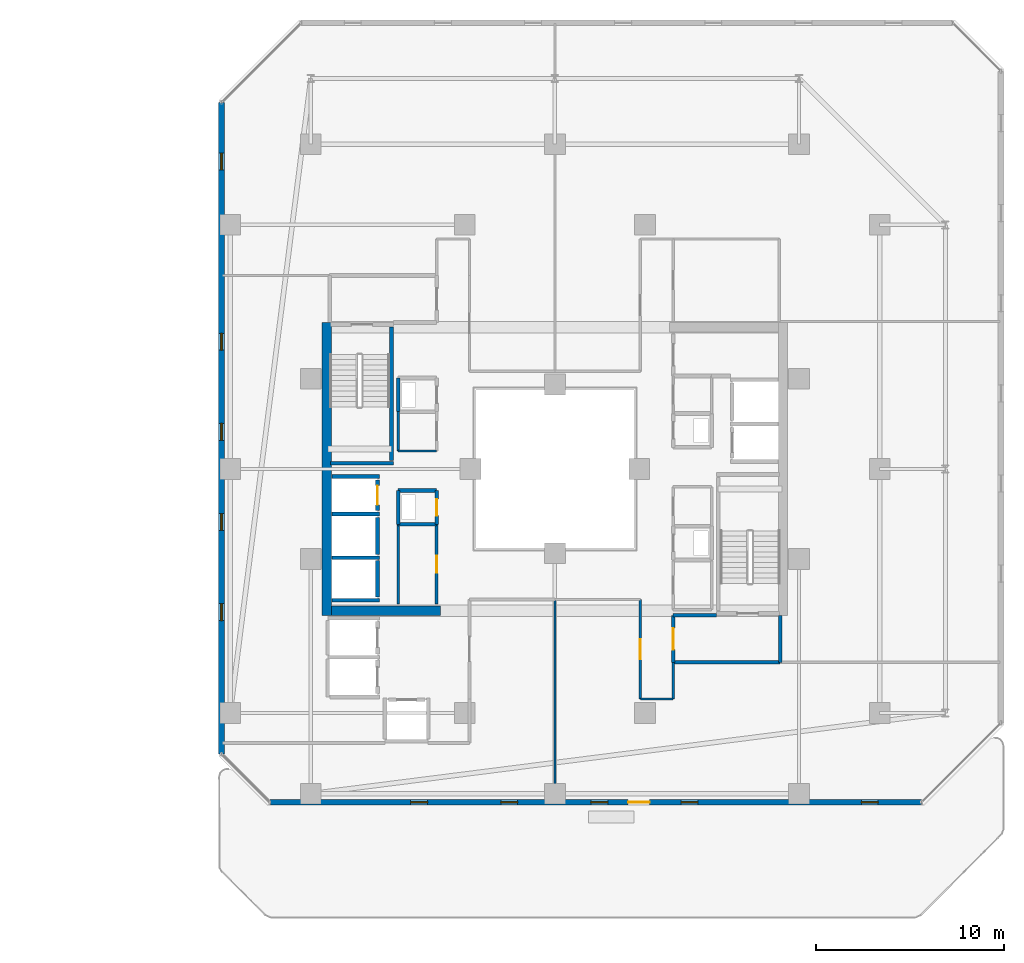
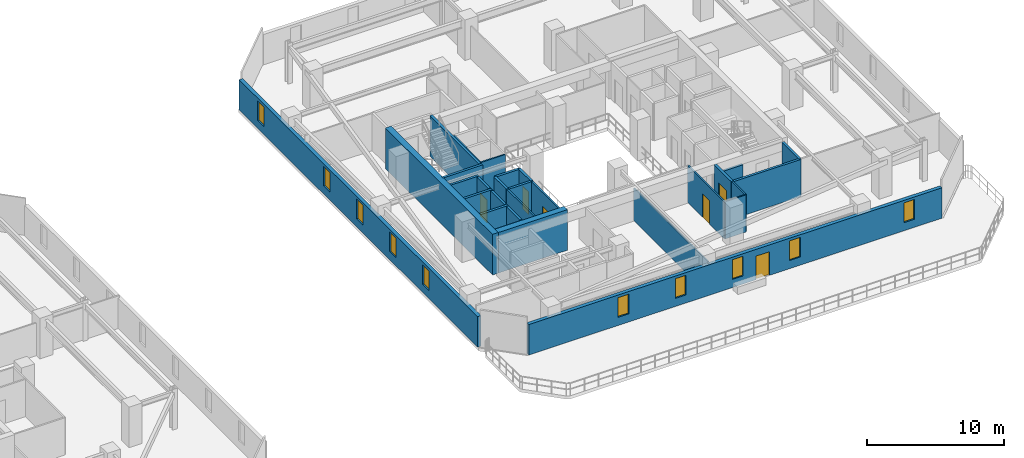
# One storey, part 22 of 30: 30 walls, 10 windows, 6 doors, 16 openings.
"""IFC4 building model written with IfcOpenShell, lengths in metres."""

from ifc_helpers import new_model, si_unit, direction, frame, frame_2d, origin, place, context, subcontext, project, spatial, rectangle, extrude, material, layer, layer_set, type_object, element, fill, save


model = new_model("IFC4")

# Units and contexts
model_context = context("Model", 3, precision=1e-05, world=origin(), true_north=direction((0.0, 1.0)))
body_context = subcontext(model_context, "Body", "Model", "MODEL_VIEW")
ifc_project = project(units=[si_unit("LENGTHUNIT", "METRE"), si_unit("AREAUNIT", "SQUARE_METRE"), si_unit("VOLUMEUNIT", "CUBIC_METRE"), si_unit("PLANEANGLEUNIT", "RADIAN"), si_unit("MASSUNIT", "GRAM", prefix="KILO")], contexts=[model_context])

# Site, building, storey
site_placement = place(None, origin())
site = spatial("IfcSite", under=ifc_project, at=site_placement, CompositionType="ELEMENT")
building_placement = place(site_placement, origin())
building = spatial("IfcBuilding", under=site, at=building_placement, Name="Thornwick Lancets Civic Towers", CompositionType="ELEMENT")
storey_placement = place(building_placement, frame((0.0, 0.0, 149.10009765625)))
storey = spatial("IfcBuildingStorey", under=building, at=storey_placement, Name="L39", CompositionType="ELEMENT", Elevation=149.10009765625)

# Wall, opening, door
ifc_material_1 = material(Name="Concrete blockwork C40/50", Category="masonry")
ifc_layer_1 = layer(ifc_material_1, 0.199951171875, Name="Concrete blockwork C40/50")
ifc_layer_set_1 = layer_set([ifc_layer_1], Name="Concrete blockwork C40/50")
wall_type_1 = type_object("IfcWallType", Name="WALL_COMP_200", PredefinedType="STANDARD", material=ifc_layer_set_1)
wall_1_placement = place(storey_placement, frame((79.050048828125, 24.780029296875, 0.0), z_axis=(0.0, 0.0, 1.0), x_axis=(0.0, 1.0, 0.0)))
wall_1 = element("IfcWall", 1, at=wall_1_placement, inside=storey, type_object=wall_type_1, Name="L39 Hoistway Front Wall FL-B2", PredefinedType="STANDARD", context=body_context, shape_type="SweptSolid", body=[
    extrude(rectangle(XDim=1.639892578125, YDim=0.199951171875, at=frame_2d((0.81982421875, 0.0))), origin(), (0.0, 0.0, 1.0), 3.2998046875),
])
opening_1_placement = place(wall_1_placement, frame((0.31005859375, 0.0, 0.0)))
opening_1 = element("IfcOpeningElement", 2, at=opening_1_placement, cuts=wall_1, Name="Opening LD-FL-B2", PredefinedType="OPENING", context=body_context, shape_type="SweptSolid", body=[
    extrude(rectangle(XDim=1.02001953125, YDim=2.06005859375, at=frame_2d((0.510009765625, 1.030029296875))), frame((0.0, 0.10986328125, 0.0), z_axis=(0.0, -1.0, 0.0), x_axis=(1.0, 0.0, 0.0)), (0.0, 0.0, 1.0), 0.219970703125),
])
ifc_material_2 = material(Name="Brushed bronze stainless steel", Category="steel")
door_type_1 = type_object("IfcDoorType", Name="DOOR_LIFT_SLIDE", OperationType="SLIDING_TO_LEFT", PredefinedType="DOOR", material=ifc_material_2)
door_1_placement = place(opening_1_placement, origin())
door_1 = element("IfcDoor", 3, at=door_1_placement, inside=storey, type_object=door_type_1, Name="L39 Sliding Lift Landing Door LD-FL-B2", OperationType="SLIDING_TO_LEFT", OverallHeight=2.06005859375, OverallWidth=1.02001953125, PredefinedType="DOOR", context=body_context, shape_type="SweptSolid", body=[
    extrude(rectangle(XDim=1.02001953125, YDim=2.06005859375, at=frame_2d((0.510009765625, 1.030029296875))), frame((0.0, 0.02490234375, 0.0), z_axis=(0.0, -1.0, 0.0), x_axis=(1.0, 0.0, 0.0)), (0.0, 0.0, 1.0), 0.050048828125),
])
fill(opening_1, door_1)

# Walls
wall_2_placement = place(storey_placement, frame((79.050048828125, 22.429931640625, 0.0), z_axis=(0.0, 0.0, 1.0), x_axis=(0.0, 1.0, 0.0)))
element("IfcWall", 4, at=wall_2_placement, inside=storey, type_object=wall_type_1, Name="L39 Hoistway Front Wall PL-BH2", PredefinedType="STANDARD", context=body_context, shape_type="SweptSolid", body=[
    extrude(rectangle(XDim=1.989990234375, YDim=0.199951171875, at=frame_2d((0.9951171875, 0.0))), origin(), (0.0, 0.0, 1.0), 3.2998046875),
])
wall_3_placement = place(storey_placement, frame((79.050048828125, 20.179931640625, 0.0), z_axis=(0.0, 0.0, 1.0), x_axis=(0.0, 1.0, 0.0)))
element("IfcWall", 5, at=wall_3_placement, inside=storey, type_object=wall_type_1, Name="L39 Hoistway Front Wall PL-BH3", PredefinedType="STANDARD", context=body_context, shape_type="SweptSolid", body=[
    extrude(rectangle(XDim=1.940185546875, YDim=0.199951171875, at=frame_2d((0.97021484375, 0.0))), origin(), (0.0, 0.0, 1.0), 3.2998046875),
])
for number, where, z_axis, x_axis, name in (
    (6, (76.612060546875, 26.60009765625, 0.0), (0.0, 0.0, 1.0), (1.0, 0.0, 0.0), "L39 Hoistway Shaft Wall FL-B2 N"),
    (7, (76.612060546875, 24.60009765625, 0.0), (0.0, 0.0, 1.0), (1.0, 0.0, 0.0), "L39 Hoistway Shaft Wall FL-B2 S"),
    (8, (76.612060546875, 22.27490234375, 0.0), (0.0, 0.0, 1.0), (1.0, 0.0, 0.0), "L39 Hoistway Shaft Wall PL-BH2 S"),
    (9, (76.612060546875, 20.0, 0.0), (0.0, 0.0, 1.0), (1.0, 0.0, 0.0), "L39 Hoistway Shaft Wall PL-BH3 S"),
):
    element("IfcWall", number, at=place(storey_placement, frame(where, z_axis=z_axis, x_axis=x_axis)), inside=storey, type_object=wall_type_1, Name=name, PredefinedType="STANDARD", context=body_context, shape_type="SweptSolid", body=[
        extrude(rectangle(XDim=2.535888671875, YDim=0.199951171875, at=frame_2d((1.26806640625, 0.0))), origin(), (0.0, 0.0, 1.0), 3.2998046875),
    ])
wall_4_placement = place(storey_placement, frame((94.800048828125, 16.699951171875, 0.0), z_axis=(0.0, 0.0, 1.0), x_axis=(1.0, 0.0, 0.0)))
element("IfcWall", 10, at=wall_4_placement, inside=storey, type_object=wall_type_1, Name="L39 Partition L39-B-FFLOB1 E1", PredefinedType="STANDARD", context=body_context, shape_type="SweptSolid", body=[
    extrude(rectangle(XDim=5.699951171875, YDim=0.199951171875, at=frame_2d((2.85009765625, 0.0))), origin(), (0.0, 0.0, 1.0), 3.2998046875),
])
wall_5_placement = place(storey_placement, frame((100.5, 16.699951171875, 0.0), z_axis=(0.0, 0.0, 1.0), x_axis=(0.0, 1.0, 0.0)))
element("IfcWall", 11, at=wall_5_placement, inside=storey, type_object=wall_type_1, Name="L39 Partition L39-B-FFLOB1 E2", PredefinedType="STANDARD", context=body_context, shape_type="SweptSolid", body=[
    extrude(rectangle(XDim=2.5, YDim=0.199951171875, at=frame_2d((1.25, 0.0))), origin(), (0.0, 0.0, 1.0), 3.2998046875),
])
wall_6_placement = place(storey_placement, frame((97.10009765625, 19.199951171875, 0.0), z_axis=(0.0, 0.0, 1.0), x_axis=(-1.0, 0.0, 0.0)))
element("IfcWall", 12, at=wall_6_placement, inside=storey, type_object=wall_type_1, Name="L39 Partition L39-B-FFLOB1 E3", PredefinedType="STANDARD", context=body_context, shape_type="SweptSolid", body=[
    extrude(rectangle(XDim=2.300048828125, YDim=0.199951171875, at=frame_2d((1.14990234375, 0.0))), origin(), (0.0, 0.0, 1.0), 2.5048828125),
])

# Wall, opening, door
wall_7_placement = place(storey_placement, frame((94.800048828125, 19.199951171875, 0.0), z_axis=(0.0, 0.0, 1.0), x_axis=(0.0, -1.0, 0.0)))
wall_7 = element("IfcWall", 13, at=wall_7_placement, inside=storey, type_object=wall_type_1, Name="L39 Partition L39-B-FFLOB1 E4", PredefinedType="STANDARD", context=body_context, shape_type="SweptSolid", body=[
    extrude(rectangle(XDim=2.5, YDim=0.199951171875, at=frame_2d((1.25, 0.0))), origin(), (0.0, 0.0, 1.0), 3.2998046875),
])
opening_2_placement = place(wall_7_placement, frame((0.675048828125, 0.0, 0.0)))
opening_2 = element("IfcOpeningElement", 14, at=opening_2_placement, cuts=wall_7, Name="Opening D-L39-1767", PredefinedType="OPENING", context=body_context, shape_type="SweptSolid", body=[
    extrude(rectangle(XDim=1.14990234375, YDim=2.10009765625, at=frame_2d((0.574951171875, 1.050048828125))), frame((0.0, 0.10986328125, 0.0), z_axis=(0.0, -1.0, 0.0), x_axis=(1.0, 0.0, 0.0)), (0.0, 0.0, 1.0), 0.219970703125),
])
ifc_material_3 = material(Name="Glazed fire-resisting steel", Category="steel")
door_type_2 = type_object("IfcDoorType", Name="DOOR_LOBBY_FD60", OperationType="NOTDEFINED", PredefinedType="DOOR", material=ifc_material_3)
door_2_placement = place(opening_2_placement, origin())
door_2 = element("IfcDoor", 15, at=door_2_placement, inside=storey, type_object=door_type_2, Name="L39 East Firefighting Lobby 1 Door", OperationType="SINGLE_SWING_RIGHT", OverallHeight=2.10009765625, OverallWidth=1.14990234375, PredefinedType="DOOR", context=body_context, shape_type="SweptSolid", body=[
    extrude(rectangle(XDim=1.14990234375, YDim=2.10009765625, at=frame_2d((0.574951171875, 1.050048828125))), frame((0.0, 0.02490234375, 0.0), z_axis=(0.0, -1.0, 0.0), x_axis=(1.0, 0.0, 0.0)), (0.0, 0.0, 1.0), 0.050048828125),
])
fill(opening_2, door_2)

# Wall
wall_8_placement = place(storey_placement, frame((80.14990234375, 24.050048828125, 0.0), z_axis=(0.0, 0.0, 1.0), x_axis=(1.0, 0.0, 0.0)))
element("IfcWall", 16, at=wall_8_placement, inside=storey, type_object=wall_type_1, Name="L39 Partition L39-B-DUCT2 E1", PredefinedType="STANDARD", context=body_context, shape_type="SweptSolid", body=[
    extrude(rectangle(XDim=2.050048828125, YDim=0.199951171875, at=frame_2d((1.02490234375, 0.0))), origin(), (0.0, 0.0, 1.0), 3.2998046875),
])

# Wall, opening, door
wall_9_placement = place(storey_placement, frame((82.199951171875, 24.050048828125, 0.0), z_axis=(0.0, 0.0, 1.0), x_axis=(0.0, 1.0, 0.0)))
wall_9 = element("IfcWall", 17, at=wall_9_placement, inside=storey, type_object=wall_type_1, Name="L39 Partition L39-B-DUCT2 E2", PredefinedType="STANDARD", context=body_context, shape_type="SweptSolid", body=[
    extrude(rectangle(XDim=1.800048828125, YDim=0.199951171875, at=frame_2d((0.89990234375, 0.0))), origin(), (0.0, 0.0, 1.0), 3.2998046875),
])
opening_3_placement = place(wall_9_placement, frame((0.4599609375, 0.0, 0.0)))
opening_3 = element("IfcOpeningElement", 18, at=opening_3_placement, cuts=wall_9, Name="Opening D-L39-1771", PredefinedType="OPENING", context=body_context, shape_type="SweptSolid", body=[
    extrude(rectangle(XDim=0.8798828125, YDim=2.0400390625, at=frame_2d((0.43994140625, 1.02001953125))), frame((0.0, 0.10986328125, 0.0), z_axis=(0.0, -1.0, 0.0), x_axis=(1.0, 0.0, 0.0)), (0.0, 0.0, 1.0), 0.219970703125),
])
ifc_material_4 = material(Name="Steel riser access doorset", Category="steel")
door_type_3 = type_object("IfcDoorType", Name="DOOR_RISER_850", OperationType="NOTDEFINED", PredefinedType="DOOR", material=ifc_material_4)
door_3_placement = place(opening_3_placement, origin())
door_3 = element("IfcDoor", 19, at=door_3_placement, inside=storey, type_object=door_type_3, Name="L39 West Service Duct 2 Door", OperationType="SINGLE_SWING_RIGHT", OverallHeight=2.0400390625, OverallWidth=0.8798828125, PredefinedType="DOOR", context=body_context, shape_type="SweptSolid", body=[
    extrude(rectangle(XDim=0.8798828125, YDim=2.0400390625, at=frame_2d((0.43994140625, 1.02001953125))), frame((0.0, 0.02490234375, 0.0), z_axis=(0.0, -1.0, 0.0), x_axis=(1.0, 0.0, 0.0)), (0.0, 0.0, 1.0), 0.050048828125),
])
fill(opening_3, door_3)

# Walls
wall_10_placement = place(storey_placement, frame((82.199951171875, 25.85009765625, 0.0), z_axis=(0.0, 0.0, 1.0), x_axis=(-1.0, 0.0, 0.0)))
element("IfcWall", 20, at=wall_10_placement, inside=storey, type_object=wall_type_1, Name="L39 Partition L39-B-DUCT2 E3", PredefinedType="STANDARD", context=body_context, shape_type="SweptSolid", body=[
    extrude(rectangle(XDim=2.050048828125, YDim=0.199951171875, at=frame_2d((1.02490234375, 0.0))), origin(), (0.0, 0.0, 1.0), 3.2998046875),
])
for number, where, z_axis, x_axis, name in (
    (21, (80.14990234375, 25.85009765625, 0.0), (0.0, 0.0, 1.0), (0.0, -1.0, 0.0), "L39 Partition L39-B-DUCT2 E4"),
    (22, (80.14990234375, 31.85009765625, 0.0), (0.0, 0.0, 1.0), (0.0, -1.0, 0.0), "L39 Partition L39-B-RISER2 E4"),
):
    element("IfcWall", number, at=place(storey_placement, frame(where, z_axis=z_axis, x_axis=x_axis)), inside=storey, type_object=wall_type_1, Name=name, PredefinedType="STANDARD", context=body_context, shape_type="SweptSolid", body=[
        extrude(rectangle(XDim=1.800048828125, YDim=0.199951171875, at=frame_2d((0.89990234375, 0.0))), origin(), (0.0, 0.0, 1.0), 3.2998046875),
    ])
ifc_material_5 = material(Name="Concrete C50/60", Category="concrete")
ifc_layer_2 = layer(ifc_material_5, 0.5, Name="Concrete C50/60")
ifc_layer_set_2 = layer_set([ifc_layer_2], Name="Concrete C50/60")
wall_type_2 = type_object("IfcWallType", Name="WALL_CORE_500", PredefinedType="SHEAR", material=ifc_layer_set_2)
wall_11_placement = place(storey_placement, frame((76.35009765625, 19.199951171875, 0.0), z_axis=(0.0, 0.0, 1.0), x_axis=(0.0, 1.0, 0.0)))
element("IfcWall", 23, at=wall_11_placement, inside=storey, type_object=wall_type_2, Name="L39 Split Core B2 Shear Wall W", PredefinedType="SHEAR", context=body_context, shape_type="SweptSolid", body=[
    extrude(rectangle(XDim=15.60009765625, YDim=0.5, at=frame_2d((7.800048828125, 0.0))), origin(), (0.0, 0.0, 1.0), 3.599853515625),
])
wall_12_placement = place(storey_placement, frame((76.60009765625, 19.449951171875, 0.0), z_axis=(0.0, 0.0, 1.0), x_axis=(1.0, 0.0, 0.0)))
element("IfcWall", 24, at=wall_12_placement, inside=storey, type_object=wall_type_2, Name="L39 Split Core B2 Shear Wall S", PredefinedType="SHEAR", context=body_context, shape_type="SweptSolid", body=[
    extrude(rectangle(XDim=5.7998046875, YDim=0.5, at=frame_2d((2.89990234375, 0.0))), origin(), (0.0, 0.0, 1.0), 3.599853515625),
])

# Wall, openings, door, windows
ifc_material_6 = material(Name="Insulated russet terracotta rainscreen on concrete C40/50", Category="masonry")
ifc_layer_3 = layer(ifc_material_6, 0.300048828125, Name="Insulated russet terracotta rainscreen on concrete C40/50")
ifc_layer_set_3 = layer_set([ifc_layer_3], Name="Insulated russet terracotta rainscreen on concrete C40/50")
wall_type_3 = type_object("IfcWallType", Name="WALL_EXT_RUSSET_300", PredefinedType="STANDARD", material=ifc_layer_set_3)
wall_13_placement = place(storey_placement, frame((73.318603515625, 9.2353515625, 0.0), z_axis=(0.0, 0.0, 1.0), x_axis=(0.999999988026, 0.000154754115, 0.0)))
wall_13 = element("IfcWall", 25, at=wall_13_placement, inside=storey, type_object=wall_type_3, Name="L39 Tower B Terracotta Facade Wall E0", PredefinedType="STANDARD", context=body_context, shape_type="SweptSolid", body=[
    extrude(rectangle(XDim=34.707275390625, YDim=0.300048828125, at=frame_2d((17.353515625, 0.0))), origin(), (0.0, 0.0, 1.0), 2.699951171875),
])
opening_4_placement = place(wall_13_placement, frame((19.07861328125, 0.0, 0.0)))
opening_4 = element("IfcOpeningElement", 26, at=opening_4_placement, cuts=wall_13, Name="Opening D-SG-L39-B0", PredefinedType="OPENING", context=body_context, shape_type="SweptSolid", body=[
    extrude(rectangle(XDim=1.14990234375, YDim=2.10009765625, at=frame_2d((0.574951171875, 1.050048828125))), frame((0.0, 0.16015625, 0.0), z_axis=(0.0, -1.0, 0.0), x_axis=(1.0, 0.0, 0.0)), (0.0, 0.0, 1.0), 0.320068359375),
])
opening_5_placement = place(wall_13_placement, frame((7.5, 0.0, 0.719970703125)))
opening_5 = element("IfcOpeningElement", 27, at=opening_5_placement, cuts=wall_13, Name="Opening WL-01", PredefinedType="OPENING", context=body_context, shape_type="SweptSolid", body=[
    extrude(rectangle(XDim=0.89990234375, YDim=1.75, at=frame_2d((0.449951171875, 0.875))), frame((0.0, 0.16015625, 0.0), z_axis=(0.0, -1.0, 0.0), x_axis=(1.0, 0.0, 0.0)), (0.0, 0.0, 1.0), 0.320068359375),
])
opening_6_placement = place(wall_13_placement, frame((12.300048828125, 0.0, 0.719970703125)))
opening_6 = element("IfcOpeningElement", 28, at=opening_6_placement, cuts=wall_13, Name="Opening WL-01", PredefinedType="OPENING", context=body_context, shape_type="SweptSolid", body=[
    extrude(rectangle(XDim=0.89990234375, YDim=1.75, at=frame_2d((0.449951171875, 0.875))), frame((0.0, 0.16015625, 0.0), z_axis=(0.0, -1.0, 0.0), x_axis=(1.0, 0.0, 0.0)), (0.0, 0.0, 1.0), 0.320068359375),
])
opening_7_placement = place(wall_13_placement, frame((17.10009765625, 0.0, 0.719970703125)))
opening_7 = element("IfcOpeningElement", 29, at=opening_7_placement, cuts=wall_13, Name="Opening WL-01", PredefinedType="OPENING", context=body_context, shape_type="SweptSolid", body=[
    extrude(rectangle(XDim=0.89990234375, YDim=1.75, at=frame_2d((0.449951171875, 0.875))), frame((0.0, 0.16015625, 0.0), z_axis=(0.0, -1.0, 0.0), x_axis=(1.0, 0.0, 0.0)), (0.0, 0.0, 1.0), 0.320068359375),
])
opening_8_placement = place(wall_13_placement, frame((21.89990234375, 0.0, 0.719970703125)))
opening_8 = element("IfcOpeningElement", 30, at=opening_8_placement, cuts=wall_13, Name="Opening WL-01", PredefinedType="OPENING", context=body_context, shape_type="SweptSolid", body=[
    extrude(rectangle(XDim=0.89990234375, YDim=1.75, at=frame_2d((0.449951171875, 0.875))), frame((0.0, 0.16015625, 0.0), z_axis=(0.0, -1.0, 0.0), x_axis=(1.0, 0.0, 0.0)), (0.0, 0.0, 1.0), 0.320068359375),
])
opening_9_placement = place(wall_13_placement, frame((31.5, 0.0, 0.719970703125)))
opening_9 = element("IfcOpeningElement", 31, at=opening_9_placement, cuts=wall_13, Name="Opening WL-01", PredefinedType="OPENING", context=body_context, shape_type="SweptSolid", body=[
    extrude(rectangle(XDim=0.89990234375, YDim=1.75, at=frame_2d((0.449951171875, 0.875))), frame((0.0, 0.16015625, 0.0), z_axis=(0.0, -1.0, 0.0), x_axis=(1.0, 0.0, 0.0)), (0.0, 0.0, 1.0), 0.320068359375),
])
ifc_material_7 = material(Name="Thermally broken glazed terrace doorset")
door_type_4 = type_object("IfcDoorType", Name="DOOR_TERRACE_1200", OperationType="NOTDEFINED", PredefinedType="DOOR", material=ifc_material_7)
door_4_placement = place(opening_4_placement, origin())
door_4 = element("IfcDoor", 32, at=door_4_placement, inside=storey, type_object=door_type_4, Name="L39 Tower B Sky-Garden Terrace Door", OperationType="SINGLE_SWING_RIGHT", OverallHeight=2.10009765625, OverallWidth=1.14990234375, PredefinedType="DOOR", context=body_context, shape_type="SweptSolid", body=[
    extrude(rectangle(XDim=1.14990234375, YDim=2.10009765625, at=frame_2d((0.574951171875, 1.050048828125))), frame((0.0, 0.02490234375, 0.0), z_axis=(0.0, -1.0, 0.0), x_axis=(1.0, 0.0, 0.0)), (0.0, 0.0, 1.0), 0.050048828125),
])
fill(opening_4, door_4)
ifc_material_8 = material(Name="Clear low-e double glazing in bronze frame", Category="glass")
window_type = type_object("IfcWindowType", Name="WIN_LANCET_900", PartitioningType="SINGLE_PANEL", PredefinedType="WINDOW", material=ifc_material_8)
window_1_placement = place(opening_5_placement, origin())
window_1 = element("IfcWindow", 33, at=window_1_placement, inside=storey, type_object=window_type, Name="L39 Tower B Staggered Lancet Window E0-1", OverallHeight=1.75, OverallWidth=0.89990234375, PartitioningType="SINGLE_PANEL", PredefinedType="WINDOW", context=body_context, shape_type="SweptSolid", body=[
    extrude(rectangle(XDim=0.89990234375, YDim=1.75, at=frame_2d((0.449951171875, 0.875))), frame((0.0, 0.030029296875, 0.0), z_axis=(0.0, -1.0, 0.0), x_axis=(1.0, 0.0, 0.0)), (0.0, 0.0, 1.0), 0.06005859375),
])
fill(opening_5, window_1)
window_2_placement = place(opening_6_placement, origin())
window_2 = element("IfcWindow", 34, at=window_2_placement, inside=storey, type_object=window_type, Name="L39 Tower B Staggered Lancet Window E0-2", OverallHeight=1.75, OverallWidth=0.89990234375, PartitioningType="SINGLE_PANEL", PredefinedType="WINDOW", context=body_context, shape_type="SweptSolid", body=[
    extrude(rectangle(XDim=0.89990234375, YDim=1.75, at=frame_2d((0.449951171875, 0.875))), frame((0.0, 0.030029296875, 0.0), z_axis=(0.0, -1.0, 0.0), x_axis=(1.0, 0.0, 0.0)), (0.0, 0.0, 1.0), 0.06005859375),
])
fill(opening_6, window_2)
window_3_placement = place(opening_7_placement, origin())
window_3 = element("IfcWindow", 35, at=window_3_placement, inside=storey, type_object=window_type, Name="L39 Tower B Staggered Lancet Window E0-3", OverallHeight=1.75, OverallWidth=0.89990234375, PartitioningType="SINGLE_PANEL", PredefinedType="WINDOW", context=body_context, shape_type="SweptSolid", body=[
    extrude(rectangle(XDim=0.89990234375, YDim=1.75, at=frame_2d((0.449951171875, 0.875))), frame((0.0, 0.030029296875, 0.0), z_axis=(0.0, -1.0, 0.0), x_axis=(1.0, 0.0, 0.0)), (0.0, 0.0, 1.0), 0.06005859375),
])
fill(opening_7, window_3)
window_4_placement = place(opening_8_placement, origin())
window_4 = element("IfcWindow", 36, at=window_4_placement, inside=storey, type_object=window_type, Name="L39 Tower B Staggered Lancet Window E0-4", OverallHeight=1.75, OverallWidth=0.89990234375, PartitioningType="SINGLE_PANEL", PredefinedType="WINDOW", context=body_context, shape_type="SweptSolid", body=[
    extrude(rectangle(XDim=0.89990234375, YDim=1.75, at=frame_2d((0.449951171875, 0.875))), frame((0.0, 0.030029296875, 0.0), z_axis=(0.0, -1.0, 0.0), x_axis=(1.0, 0.0, 0.0)), (0.0, 0.0, 1.0), 0.06005859375),
])
fill(opening_8, window_4)
window_5_placement = place(opening_9_placement, origin())
window_5 = element("IfcWindow", 37, at=window_5_placement, inside=storey, type_object=window_type, Name="L39 Tower B Staggered Lancet Window E0-5", OverallHeight=1.75, OverallWidth=0.89990234375, PartitioningType="SINGLE_PANEL", PredefinedType="WINDOW", context=body_context, shape_type="SweptSolid", body=[
    extrude(rectangle(XDim=0.89990234375, YDim=1.75, at=frame_2d((0.449951171875, 0.875))), frame((0.0, 0.030029296875, 0.0), z_axis=(0.0, -1.0, 0.0), x_axis=(1.0, 0.0, 0.0)), (0.0, 0.0, 1.0), 0.06005859375),
])
fill(opening_9, window_5)

# Wall, openings, windows
wall_14_placement = place(storey_placement, frame((70.74072265625, 46.52587890625, 0.0), z_axis=(0.0, 0.0, 1.0), x_axis=(-0.000154754115, -0.999999988026, 0.0)))
wall_14 = element("IfcWall", 38, at=wall_14_placement, inside=storey, type_object=wall_type_3, Name="L39 Tower B Terracotta Facade Wall E6", PredefinedType="STANDARD", context=body_context, shape_type="SweptSolid", body=[
    extrude(rectangle(XDim=34.707275390625, YDim=0.300048828125, at=frame_2d((17.353515625, 0.0))), origin(), (0.0, 0.0, 1.0), 2.699951171875),
])
opening_10_placement = place(wall_14_placement, frame((2.699951171875, 0.0, 0.719970703125)))
opening_10 = element("IfcOpeningElement", 39, at=opening_10_placement, cuts=wall_14, Name="Opening WL-01", PredefinedType="OPENING", context=body_context, shape_type="SweptSolid", body=[
    extrude(rectangle(XDim=0.89990234375, YDim=1.75, at=frame_2d((0.449951171875, 0.875))), frame((0.0, 0.16015625, 0.0), z_axis=(0.0, -1.0, 0.0), x_axis=(1.0, 0.0, 0.0)), (0.0, 0.0, 1.0), 0.320068359375),
])
opening_11_placement = place(wall_14_placement, frame((12.300048828125, 0.0, 0.719970703125)))
opening_11 = element("IfcOpeningElement", 40, at=opening_11_placement, cuts=wall_14, Name="Opening WL-01", PredefinedType="OPENING", context=body_context, shape_type="SweptSolid", body=[
    extrude(rectangle(XDim=0.89990234375, YDim=1.75, at=frame_2d((0.449951171875, 0.875))), frame((0.0, 0.16015625, 0.0), z_axis=(0.0, -1.0, 0.0), x_axis=(1.0, 0.0, 0.0)), (0.0, 0.0, 1.0), 0.320068359375),
])
opening_12_placement = place(wall_14_placement, frame((17.10009765625, 0.0, 0.719970703125)))
opening_12 = element("IfcOpeningElement", 41, at=opening_12_placement, cuts=wall_14, Name="Opening WL-01", PredefinedType="OPENING", context=body_context, shape_type="SweptSolid", body=[
    extrude(rectangle(XDim=0.89990234375, YDim=1.75, at=frame_2d((0.449951171875, 0.875))), frame((0.0, 0.16015625, 0.0), z_axis=(0.0, -1.0, 0.0), x_axis=(1.0, 0.0, 0.0)), (0.0, 0.0, 1.0), 0.320068359375),
])
opening_13_placement = place(wall_14_placement, frame((21.89990234375, 0.0, 0.719970703125)))
opening_13 = element("IfcOpeningElement", 42, at=opening_13_placement, cuts=wall_14, Name="Opening WL-01", PredefinedType="OPENING", context=body_context, shape_type="SweptSolid", body=[
    extrude(rectangle(XDim=0.89990234375, YDim=1.75, at=frame_2d((0.449951171875, 0.875))), frame((0.0, 0.16015625, 0.0), z_axis=(0.0, -1.0, 0.0), x_axis=(1.0, 0.0, 0.0)), (0.0, 0.0, 1.0), 0.320068359375),
])
opening_14_placement = place(wall_14_placement, frame((26.699951171875, 0.0, 0.719970703125)))
opening_14 = element("IfcOpeningElement", 43, at=opening_14_placement, cuts=wall_14, Name="Opening WL-01", PredefinedType="OPENING", context=body_context, shape_type="SweptSolid", body=[
    extrude(rectangle(XDim=0.89990234375, YDim=1.75, at=frame_2d((0.449951171875, 0.875))), frame((0.0, 0.16015625, 0.0), z_axis=(0.0, -1.0, 0.0), x_axis=(1.0, 0.0, 0.0)), (0.0, 0.0, 1.0), 0.320068359375),
])
window_6_placement = place(opening_10_placement, origin())
window_6 = element("IfcWindow", 44, at=window_6_placement, inside=storey, type_object=window_type, Name="L39 Tower B Staggered Lancet Window E6-1", OverallHeight=1.75, OverallWidth=0.89990234375, PartitioningType="SINGLE_PANEL", PredefinedType="WINDOW", context=body_context, shape_type="SweptSolid", body=[
    extrude(rectangle(XDim=0.89990234375, YDim=1.75, at=frame_2d((0.449951171875, 0.875))), frame((0.0, 0.030029296875, 0.0), z_axis=(0.0, -1.0, 0.0), x_axis=(1.0, 0.0, 0.0)), (0.0, 0.0, 1.0), 0.06005859375),
])
fill(opening_10, window_6)
window_7_placement = place(opening_11_placement, origin())
window_7 = element("IfcWindow", 45, at=window_7_placement, inside=storey, type_object=window_type, Name="L39 Tower B Staggered Lancet Window E6-2", OverallHeight=1.75, OverallWidth=0.89990234375, PartitioningType="SINGLE_PANEL", PredefinedType="WINDOW", context=body_context, shape_type="SweptSolid", body=[
    extrude(rectangle(XDim=0.89990234375, YDim=1.75, at=frame_2d((0.449951171875, 0.875))), frame((0.0, 0.030029296875, 0.0), z_axis=(0.0, -1.0, 0.0), x_axis=(1.0, 0.0, 0.0)), (0.0, 0.0, 1.0), 0.06005859375),
])
fill(opening_11, window_7)
window_8_placement = place(opening_12_placement, origin())
window_8 = element("IfcWindow", 46, at=window_8_placement, inside=storey, type_object=window_type, Name="L39 Tower B Staggered Lancet Window E6-3", OverallHeight=1.75, OverallWidth=0.89990234375, PartitioningType="SINGLE_PANEL", PredefinedType="WINDOW", context=body_context, shape_type="SweptSolid", body=[
    extrude(rectangle(XDim=0.89990234375, YDim=1.75, at=frame_2d((0.449951171875, 0.875))), frame((0.0, 0.030029296875, 0.0), z_axis=(0.0, -1.0, 0.0), x_axis=(1.0, 0.0, 0.0)), (0.0, 0.0, 1.0), 0.06005859375),
])
fill(opening_12, window_8)
window_9_placement = place(opening_13_placement, origin())
window_9 = element("IfcWindow", 47, at=window_9_placement, inside=storey, type_object=window_type, Name="L39 Tower B Staggered Lancet Window E6-4", OverallHeight=1.75, OverallWidth=0.89990234375, PartitioningType="SINGLE_PANEL", PredefinedType="WINDOW", context=body_context, shape_type="SweptSolid", body=[
    extrude(rectangle(XDim=0.89990234375, YDim=1.75, at=frame_2d((0.449951171875, 0.875))), frame((0.0, 0.030029296875, 0.0), z_axis=(0.0, -1.0, 0.0), x_axis=(1.0, 0.0, 0.0)), (0.0, 0.0, 1.0), 0.06005859375),
])
fill(opening_13, window_9)
window_10_placement = place(opening_14_placement, origin())
window_10 = element("IfcWindow", 48, at=window_10_placement, inside=storey, type_object=window_type, Name="L39 Tower B Staggered Lancet Window E6-5", OverallHeight=1.75, OverallWidth=0.89990234375, PartitioningType="SINGLE_PANEL", PredefinedType="WINDOW", context=body_context, shape_type="SweptSolid", body=[
    extrude(rectangle(XDim=0.89990234375, YDim=1.75, at=frame_2d((0.449951171875, 0.875))), frame((0.0, 0.030029296875, 0.0), z_axis=(0.0, -1.0, 0.0), x_axis=(1.0, 0.0, 0.0)), (0.0, 0.0, 1.0), 0.06005859375),
])
fill(opening_14, window_10)

# Walls
ifc_material_9 = material(Name="Acoustic gypsum board partition")
ifc_layer_4 = layer(ifc_material_9, 0.1201171875, Name="Acoustic gypsum board partition")
ifc_layer_set_4 = layer_set([ifc_layer_4], Name="Acoustic gypsum board partition")
wall_type_4 = type_object("IfcWallType", Name="WALL_PART_120", PredefinedType="PARTITIONING", material=ifc_layer_set_4)
wall_15_placement = place(storey_placement, frame((82.199951171875, 27.949951171875, 0.0), z_axis=(0.0, 0.0, 1.0), x_axis=(-1.0, 0.0, 0.0)))
element("IfcWall", 49, at=wall_15_placement, inside=storey, type_object=wall_type_4, Name="L39 Partition L39-B-ITR E1", PredefinedType="PARTITIONING", context=body_context, shape_type="SweptSolid", body=[
    extrude(rectangle(XDim=2.050048828125, YDim=0.1201171875, at=frame_2d((1.02490234375, 0.0))), origin(), (0.0, 0.0, 1.0), 3.2998046875),
])
wall_16_placement = place(storey_placement, frame((80.14990234375, 27.949951171875, 0.0), z_axis=(0.0, 0.0, 1.0), x_axis=(0.0, 1.0, 0.0)))
element("IfcWall", 50, at=wall_16_placement, inside=storey, type_object=wall_type_4, Name="L39 Partition L39-B-ITR E2", PredefinedType="PARTITIONING", context=body_context, shape_type="SweptSolid", body=[
    extrude(rectangle(XDim=2.10009765625, YDim=0.1201171875, at=frame_2d((1.050048828125, 0.0))), origin(), (0.0, 0.0, 1.0), 3.2998046875),
])
wall_17_placement = place(storey_placement, frame((88.5, 9.280029296875, 0.0), z_axis=(0.0, 0.0, 1.0), x_axis=(0.0, 1.0, 0.0)))
element("IfcWall", 51, at=wall_17_placement, inside=storey, type_object=wall_type_4, Name="L39 Partition L39-B-W1 E2", PredefinedType="PARTITIONING", context=body_context, shape_type="SweptSolid", body=[
    extrude(rectangle(XDim=10.77001953125, YDim=0.1201171875, at=frame_2d((5.385009765625, 0.0))), origin(), (0.0, 0.0, 1.0), 2.89208984375),
])

# Wall, opening, door
wall_18_placement = place(storey_placement, frame((93.050048828125, 20.050048828125, 0.0), z_axis=(0.0, 0.0, 1.0), x_axis=(0.0, -1.0, 0.0)))
wall_18 = element("IfcWall", 52, at=wall_18_placement, inside=storey, type_object=wall_type_4, Name="L39 Partition L39-B-W1 E4", PredefinedType="PARTITIONING", context=body_context, shape_type="SweptSolid", body=[
    extrude(rectangle(XDim=5.300048828125, YDim=0.1201171875, at=frame_2d((2.64990234375, 0.0))), origin(), (0.0, 0.0, 1.0), 3.2998046875),
])
opening_15_placement = place(wall_18_placement, frame((2.125, 0.0, 0.0)))
opening_15 = element("IfcOpeningElement", 53, at=opening_15_placement, cuts=wall_18, Name="Opening D-L39-1785", PredefinedType="OPENING", context=body_context, shape_type="SweptSolid", body=[
    extrude(rectangle(XDim=1.050048828125, YDim=2.10009765625, at=frame_2d((0.52490234375, 1.050048828125))), frame((0.0, 0.070068359375, 0.0), z_axis=(0.0, -1.0, 0.0), x_axis=(1.0, 0.0, 0.0)), (0.0, 0.0, 1.0), 0.14013671875),
])
ifc_material_10 = material(Name="Glazed European oak executive doorset")
door_type_5 = type_object("IfcDoorType", Name="DOOR_OFFICE_1050", OperationType="NOTDEFINED", PredefinedType="DOOR", material=ifc_material_10)
door_5_placement = place(opening_15_placement, origin())
door_5 = element("IfcDoor", 54, at=door_5_placement, inside=storey, type_object=door_type_5, Name="L39 Tower B Ministry Directorate Office W1 Door", OperationType="SINGLE_SWING_RIGHT", OverallHeight=2.10009765625, OverallWidth=1.050048828125, PredefinedType="DOOR", context=body_context, shape_type="SweptSolid", body=[
    extrude(rectangle(XDim=1.050048828125, YDim=2.10009765625, at=frame_2d((0.52490234375, 1.050048828125))), frame((0.0, 0.02490234375, 0.0), z_axis=(0.0, -1.0, 0.0), x_axis=(1.0, 0.0, 0.0)), (0.0, 0.0, 1.0), 0.050048828125),
])
fill(opening_15, door_5)

# Walls
wall_19_placement = place(storey_placement, frame((93.050048828125, 14.75, 0.0), z_axis=(0.0, 0.0, 1.0), x_axis=(1.0, 0.0, 0.0)))
element("IfcWall", 55, at=wall_19_placement, inside=storey, type_object=wall_type_4, Name="L39 Partition L39-B-W1 E5", PredefinedType="PARTITIONING", context=body_context, shape_type="SweptSolid", body=[
    extrude(rectangle(XDim=1.75, YDim=0.1201171875, at=frame_2d((0.875, 0.0))), origin(), (0.0, 0.0, 1.0), 3.2998046875),
])
wall_20_placement = place(storey_placement, frame((94.800048828125, 14.75, 0.0), z_axis=(0.0, 0.0, 1.0), x_axis=(0.0, 1.0, 0.0)))
element("IfcWall", 56, at=wall_20_placement, inside=storey, type_object=wall_type_4, Name="L39 Partition L39-B-W1 E6", PredefinedType="PARTITIONING", context=body_context, shape_type="SweptSolid", body=[
    extrude(rectangle(XDim=1.949951171875, YDim=0.1201171875, at=frame_2d((0.97509765625, 0.0))), origin(), (0.0, 0.0, 1.0), 3.2998046875),
])
ifc_material_11 = material(Name="Twin-stud acoustic gypsum board")
ifc_layer_5 = layer(ifc_material_11, 0.14990234375, Name="Twin-stud acoustic gypsum board")
ifc_layer_set_5 = layer_set([ifc_layer_5], Name="Twin-stud acoustic gypsum board")
wall_type_5 = type_object("IfcWallType", Name="WALL_PART_150", PredefinedType="PARTITIONING", material=ifc_layer_set_5)
wall_21_placement = place(storey_placement, frame((80.14990234375, 19.800048828125, 0.0), z_axis=(0.0, 0.0, 1.0), x_axis=(0.0, 1.0, 0.0)))
element("IfcWall", 57, at=wall_21_placement, inside=storey, type_object=wall_type_5, Name="L39 Partition L39-B-FWC E2", PredefinedType="PARTITIONING", context=body_context, shape_type="SweptSolid", body=[
    extrude(rectangle(XDim=4.25, YDim=0.14990234375, at=frame_2d((2.125, 0.0))), origin(), (0.0, 0.0, 1.0), 3.2998046875),
])

# Wall, opening, door
wall_22_placement = place(storey_placement, frame((82.199951171875, 24.050048828125, 0.0), z_axis=(0.0, 0.0, 1.0), x_axis=(0.0, -1.0, 0.0)))
wall_22 = element("IfcWall", 58, at=wall_22_placement, inside=storey, type_object=wall_type_5, Name="L39 Partition L39-B-FWC E4", PredefinedType="PARTITIONING", context=body_context, shape_type="SweptSolid", body=[
    extrude(rectangle(XDim=4.25, YDim=0.14990234375, at=frame_2d((2.125, 0.0))), origin(), (0.0, 0.0, 1.0), 3.2998046875),
])
opening_16_placement = place(wall_22_placement, frame((1.6650390625, 0.0, 0.0)))
opening_16 = element("IfcOpeningElement", 59, at=opening_16_placement, cuts=wall_22, Name="Opening D-L39-1777", PredefinedType="OPENING", context=body_context, shape_type="SweptSolid", body=[
    extrude(rectangle(XDim=0.919921875, YDim=2.080078125, at=frame_2d((0.4599609375, 1.0400390625))), frame((0.0, 0.0849609375, 0.0), z_axis=(0.0, -1.0, 0.0), x_axis=(1.0, 0.0, 0.0)), (0.0, 0.0, 1.0), 0.169921875),
])
ifc_material_12 = material(Name="Moisture-resistant oak doorset")
door_type_6 = type_object("IfcDoorType", Name="DOOR_WC_900", OperationType="NOTDEFINED", PredefinedType="DOOR", material=ifc_material_12)
door_6_placement = place(opening_16_placement, origin())
door_6 = element("IfcDoor", 60, at=door_6_placement, inside=storey, type_object=door_type_6, Name="L39 Tower B Female WC Door", OperationType="SINGLE_SWING_RIGHT", OverallHeight=2.080078125, OverallWidth=0.919921875, PredefinedType="DOOR", context=body_context, shape_type="SweptSolid", body=[
    extrude(rectangle(XDim=0.919921875, YDim=2.080078125, at=frame_2d((0.4599609375, 1.0400390625))), frame((0.0, 0.02490234375, 0.0), z_axis=(0.0, -1.0, 0.0), x_axis=(1.0, 0.0, 0.0)), (0.0, 0.0, 1.0), 0.050048828125),
])
fill(opening_16, door_6)

# Walls
ifc_material_13 = material(Name="Concrete C40/50", Category="concrete")
ifc_layer_6 = layer(ifc_material_13, 0.199951171875, Name="Concrete C40/50")
ifc_layer_set_6 = layer_set([ifc_layer_6], Name="Concrete C40/50")
wall_type_6 = type_object("IfcWallType", Name="WALL_SHAFT_200", PredefinedType="SHEAR", material=ifc_layer_set_6)
wall_23_placement = place(storey_placement, frame((79.89990234375, 27.300048828125, 0.0), z_axis=(0.0, 0.0, 1.0), x_axis=(-1.0, 0.0, 0.0)))
element("IfcWall", 61, at=wall_23_placement, inside=storey, type_object=wall_type_6, Name="L39 ST-B2 Fire Stair Core Wall FAR", PredefinedType="SHEAR", context=body_context, shape_type="SweptSolid", body=[
    extrude(rectangle(XDim=3.349853515625, YDim=0.199951171875, at=frame_2d((1.6748046875, 0.0))), origin(), (0.0, 0.0, 1.0), 3.599853515625),
])
wall_24_placement = place(storey_placement, frame((79.797119140625, 27.449951171875, 0.0), z_axis=(0.0, 0.0, 1.0), x_axis=(0.0, 1.0, 0.0)))
element("IfcWall", 62, at=wall_24_placement, inside=storey, type_object=wall_type_6, Name="L39 ST-B2 Fire Stair Core Wall RIGHT", PredefinedType="SHEAR", context=body_context, shape_type="SweptSolid", body=[
    extrude(rectangle(XDim=7.10009765625, YDim=0.199951171875, at=frame_2d((3.550048828125, 0.0))), origin(), (0.0, 0.0, 1.0), 3.599853515625),
])

save(model, "model.ifc")
